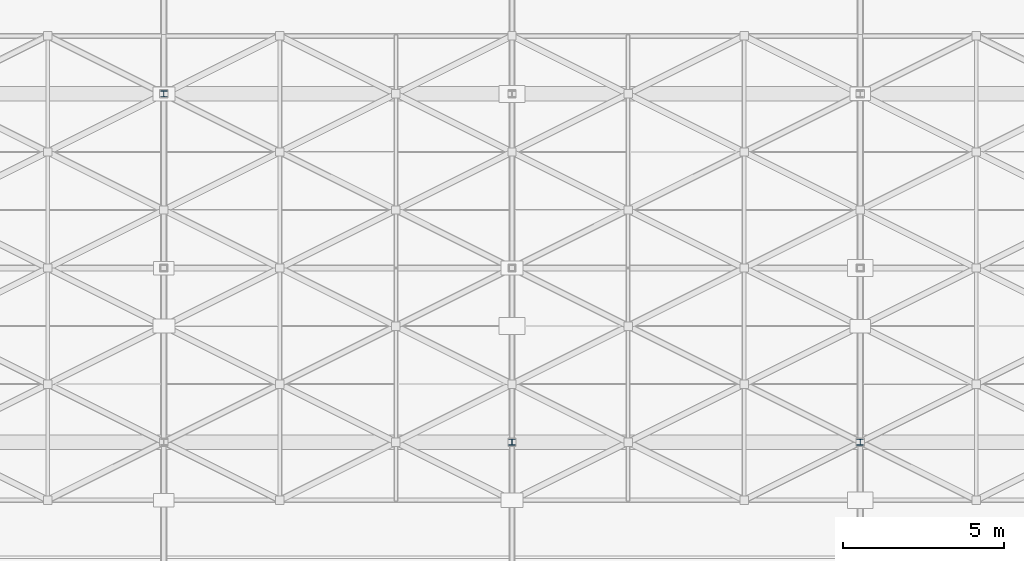
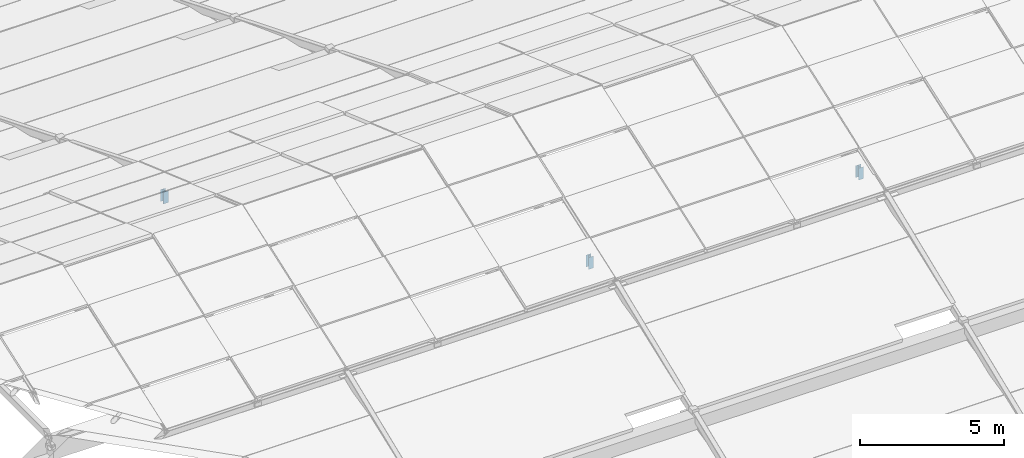
# One storey, part 78 of 112: 3 members.
"""IFC4 building model written with IfcOpenShell, lengths in metres."""

from ifc_helpers import new_model, si_unit, direction, frame, origin, origin_2d, place, context, subcontext, project, spatial, i_section, extrude, material, material_profile, profile_set, type_object, element, save


model = new_model("IFC4")

# Units and contexts
model_context = context("Model", 3, precision=1e-05, world=origin(), true_north=direction((0.0, 1.0)))
body_context = subcontext(model_context, "Body", "Model", "MODEL_VIEW")
ifc_project = project(units=[si_unit("LENGTHUNIT", "METRE"), si_unit("AREAUNIT", "SQUARE_METRE"), si_unit("VOLUMEUNIT", "CUBIC_METRE"), si_unit("PLANEANGLEUNIT", "RADIAN"), si_unit("MASSUNIT", "GRAM", prefix="KILO")], contexts=[model_context])

# Site, building, storey
site_placement = place(None, origin())
site = spatial("IfcSite", under=ifc_project, at=site_placement, CompositionType="ELEMENT")
building_placement = place(site_placement, origin())
building = spatial("IfcBuilding", under=site, at=building_placement, Name="Zwinboog Wholesale Market", CompositionType="ELEMENT")
storey_placement = place(building_placement, frame((0.0, 0.0, 19.080078125)))
storey = spatial("IfcBuildingStorey", under=building, at=storey_placement, Name="Roof", CompositionType="ELEMENT", Elevation=19.080078125)

# Members
ifc_material = material(Name="Steel S355", Category="steel")
ifc_material_profile = material_profile(ifc_material, i_section(OverallWidth=0.199951171875, OverallDepth=0.18994140625, WebThickness=0.006591796875, FlangeThickness=0.010009765625, FilletRadius=0.01806640625, at=origin_2d()), Name="HEA 200")
ifc_profile_set = profile_set([ifc_material_profile], Name="Steel S355")
member_type = type_object("IfcMemberType", Name="MT-05", PredefinedType="BRACE", material=ifc_profile_set)
for number, where, z_axis, x_axis, name in (
    (1, (97.199951171875, 81.0, 0.219970703125), (0.0, 0.0, 1.0), (1.0, 0.0, 0.0), "DB-02 (MEM-Roof-0115)"),
    (2, (108.0, 70.199951171875, 0.219970703125), (0.0, 0.0, 1.0), (1.0, 0.0, 0.0), "DB-02 (MEM-Roof-0132)"),
    (3, (118.800048828125, 70.199951171875, 0.219970703125), (0.0, 0.0, 1.0), (1.0, 0.0, 0.0), "DB-02 (MEM-Roof-0162)"),
):
    element("IfcMember", number, at=place(storey_placement, frame(where, z_axis=z_axis, x_axis=x_axis)), inside=storey, type_object=member_type, Name=name, PredefinedType="BRACE", context=body_context, shape_type="SweptSolid", body=[
        extrude(i_section(OverallWidth=0.199951171875, OverallDepth=0.18994140625, WebThickness=0.006591796875, FlangeThickness=0.010009765625, FilletRadius=0.01806640625, at=origin_2d()), origin(), (0.0, 0.0, 1.0), 0.5),
    ])

save(model, "model.ifc")
